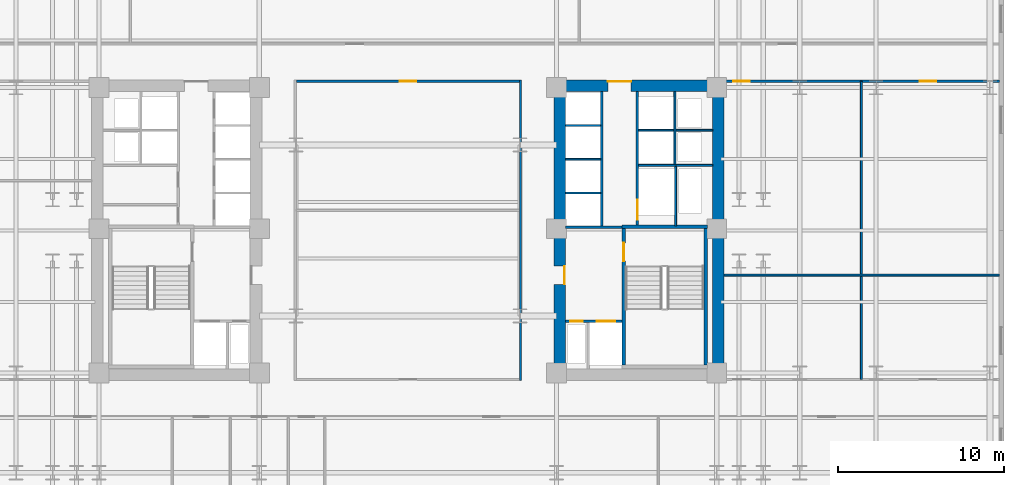
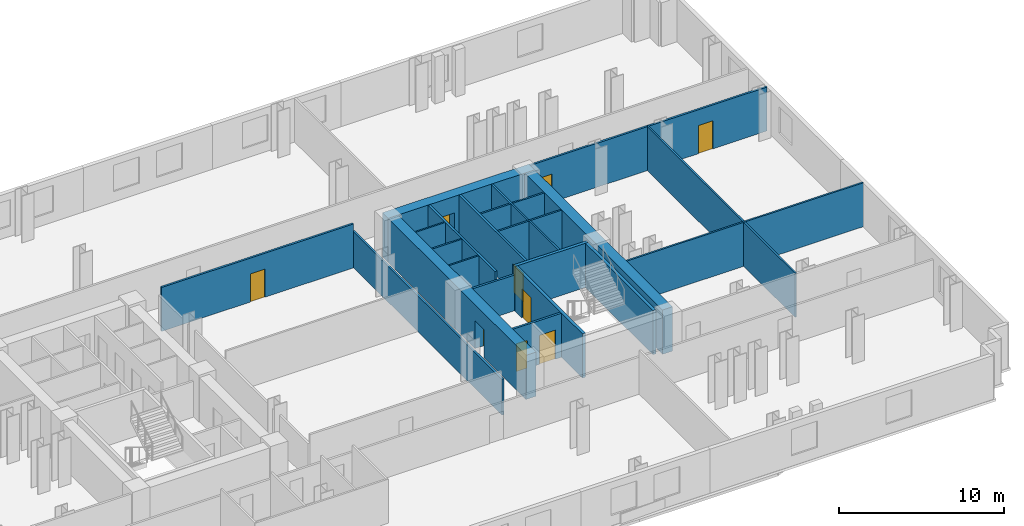
# One storey, part 6 of 10: 23 walls, 9 doors, 9 openings.
"""IFC4 building model written with IfcOpenShell, lengths in metres."""

from ifc_helpers import new_model, si_unit, direction, frame, frame_2d, origin, place, context, subcontext, project, spatial, rectangle, extrude, material, layer, layer_set, type_object, element, fill, save


model = new_model("IFC4")

# Units and contexts
model_context = context("Model", 3, precision=1e-05, world=origin(), true_north=direction((0.0, 1.0)))
body_context = subcontext(model_context, "Body", "Model", "MODEL_VIEW")
ifc_project = project(units=[si_unit("LENGTHUNIT", "METRE"), si_unit("AREAUNIT", "SQUARE_METRE"), si_unit("VOLUMEUNIT", "CUBIC_METRE"), si_unit("PLANEANGLEUNIT", "RADIAN"), si_unit("MASSUNIT", "GRAM", prefix="KILO")], contexts=[model_context])

# Site, building, storey
site_placement = place(None, origin())
site = spatial("IfcSite", under=ifc_project, at=site_placement, CompositionType="ELEMENT")
building_placement = place(site_placement, origin())
building = spatial("IfcBuilding", under=site, at=building_placement, Name="Velakula Bourse", CompositionType="ELEMENT")
storey_placement = place(building_placement, frame((0.0, 0.0, 34.64990234375)))
storey = spatial("IfcBuildingStorey", under=building, at=storey_placement, Name="L08", CompositionType="ELEMENT", Elevation=34.64990234375)

# Wall, opening, door
ifc_material_1 = material(Name="Concrete M50 (fck 50 MPa)", Category="concrete")
ifc_layer_1 = layer(ifc_material_1, 0.2099609375, Name="Concrete M50 (fck 50 MPa)", Category="concrete")
ifc_layer_set_1 = layer_set([ifc_layer_1], Name="Concrete M50 (fck 50 MPa)")
wall_type_1 = type_object("IfcWallType", Name="WL-CORE-210", PredefinedType="SHEAR", material=ifc_layer_set_1)
wall_1_placement = place(storey_placement, frame((12.9951171875, -8.10009765625, 0.0), z_axis=(0.0, 0.0, 1.0), x_axis=(0.0, 1.0, 0.0)))
wall_1 = element("IfcWall", 1, at=wall_1_placement, inside=storey, type_object=wall_type_1, Name="L08 Core E Stairwell Shear Wall IN", PredefinedType="SHEAR", context=body_context, shape_type="SweptSolid", body=[
    extrude(rectangle(XDim=8.2001953125, YDim=0.2099609375, at=frame_2d((4.10009765625, 0.0))), origin(), (0.0, 0.0, 1.0), 3.27001953125),
])
opening_1_placement = place(wall_1_placement, frame((6.25, 0.0, 0.0)))
opening_1 = element("IfcOpeningElement", 2, at=opening_1_placement, cuts=wall_1, Name="Opening D-STE1", PredefinedType="OPENING", context=body_context, shape_type="SweptSolid", body=[
    extrude(rectangle(XDim=1.10009765625, YDim=2.14990234375, at=frame_2d((0.550048828125, 1.074951171875))), frame((0.0, 0.114990234375, 0.0), z_axis=(0.0, -1.0, 0.0), x_axis=(1.0, 0.0, 0.0)), (0.0, 0.0, 1.0), 0.22998046875),
])
ifc_material_2 = material(Name="Galvanised painted hollow steel fire door", Category="steel")
door_type_1 = type_object("IfcDoorType", Name="DR-FD120-1100x2150", OperationType="NOTDEFINED", PredefinedType="DOOR", material=ifc_material_2)
door_1_placement = place(opening_1_placement, origin())
door_1 = element("IfcDoor", 3, at=door_1_placement, inside=storey, type_object=door_type_1, Name="L08 Stair ST-E1 Fire Door", OperationType="SINGLE_SWING_RIGHT", OverallHeight=2.14990234375, OverallWidth=1.10009765625, PredefinedType="DOOR", context=body_context, shape_type="SweptSolid", body=[
    extrude(rectangle(XDim=1.10009765625, YDim=2.14990234375, at=frame_2d((0.550048828125, 1.074951171875))), frame((0.0, 0.02490234375, 0.0), z_axis=(0.0, -1.0, 0.0), x_axis=(1.0, 0.0, 0.0)), (0.0, 0.0, 1.0), 0.050048828125),
])
fill(opening_1, door_1)

# Walls
wall_2_placement = place(storey_placement, frame((17.925048828125, -8.10009765625, 0.0), z_axis=(0.0, 0.0, 1.0), x_axis=(0.0, 1.0, 0.0)))
element("IfcWall", 4, at=wall_2_placement, inside=storey, type_object=wall_type_1, Name="L08 Core E Stairwell Shear Wall OUT", PredefinedType="SHEAR", context=body_context, shape_type="SweptSolid", body=[
    extrude(rectangle(XDim=8.2001953125, YDim=0.2099609375, at=frame_2d((4.10009765625, 0.0))), origin(), (0.0, 0.0, 1.0), 3.27001953125),
])
wall_3_placement = place(storey_placement, frame((18.030029296875, 0.205078125, 0.0), z_axis=(0.0, 0.0, 1.0), x_axis=(-1.0, 0.0, 0.0)))
element("IfcWall", 5, at=wall_3_placement, inside=storey, type_object=wall_type_1, Name="L08 Core E Stairwell Shear Wall N", PredefinedType="SHEAR", context=body_context, shape_type="SweptSolid", body=[
    extrude(rectangle(XDim=5.14013671875, YDim=0.2099609375, at=frame_2d((2.570068359375, 0.0))), origin(), (0.0, 0.0, 1.0), 3.27001953125),
])

# Wall, opening, door
ifc_material_3 = material(Name="Concrete M70 (fck 70 MPa)", Category="concrete")
ifc_layer_2 = layer(ifc_material_3, 0.699951171875, Name="Concrete M70 (fck 70 MPa)", Category="concrete")
ifc_layer_set_2 = layer_set([ifc_layer_2], Name="Concrete M70 (fck 70 MPa)")
wall_type_2 = type_object("IfcWallType", Name="WL-CORE-700", PredefinedType="SHEAR", material=ifc_layer_set_2)
wall_4_placement = place(storey_placement, frame((8.800048828125, 8.699951171875, 0.0), z_axis=(0.0, 0.0, 1.0), x_axis=(1.0, 0.0, 0.0)))
wall_4 = element("IfcWall", 6, at=wall_4_placement, inside=storey, type_object=wall_type_2, Name="L08 Core E Shear Wall N", PredefinedType="SHEAR", context=body_context, shape_type="SweptSolid", body=[
    extrude(rectangle(XDim=10.25, YDim=0.699951171875, at=frame_2d((5.125, 0.0))), origin(), (0.0, 0.0, 1.0), 3.27001953125),
])
opening_2_placement = place(wall_4_placement, frame((3.25, 0.0, 0.0)))
opening_2 = element("IfcOpeningElement", 7, at=opening_2_placement, cuts=wall_4, Name="Opening D-LLE", PredefinedType="OPENING", context=body_context, shape_type="SweptSolid", body=[
    extrude(rectangle(XDim=1.39990234375, YDim=2.050048828125, at=frame_2d((0.699951171875, 1.02490234375))), frame((0.0, 0.35986328125, 0.0), z_axis=(0.0, -1.0, 0.0), x_axis=(1.0, 0.0, 0.0)), (0.0, 0.0, 1.0), 0.719970703125),
])
ifc_material_4 = material(Name="Fire-rated hardwood flush architectural door", Category="wood")
door_type_2 = type_object("IfcDoorType", Name="DR-DBL-FD60-1400", OperationType="DOUBLE_DOOR_SINGLE_SWING", PredefinedType="DOOR", material=ifc_material_4)
door_2_placement = place(opening_2_placement, origin())
door_2 = element("IfcDoor", 8, at=door_2_placement, inside=storey, type_object=door_type_2, Name="L08 Core E Lift Lobby Corridor Double Door", OperationType="DOUBLE_DOOR_SINGLE_SWING", OverallHeight=2.050048828125, OverallWidth=1.39990234375, PredefinedType="DOOR", context=body_context, shape_type="SweptSolid", body=[
    extrude(rectangle(XDim=1.39990234375, YDim=2.050048828125, at=frame_2d((0.699951171875, 1.02490234375))), frame((0.0, 0.294921875, 0.0), z_axis=(0.0, -1.0, 0.0), x_axis=(1.0, 0.0, 0.0)), (0.0, 0.0, 1.0), 0.050048828125),
])
fill(opening_2, door_2)

wall_5_placement = place(storey_placement, frame((9.14990234375, -8.35009765625, 0.0), z_axis=(0.0, 0.0, 1.0), x_axis=(0.0, 1.0, 0.0)))
wall_5 = element("IfcWall", 9, at=wall_5_placement, inside=storey, type_object=wall_type_2, Name="L08 Core E Shear Wall W", PredefinedType="SHEAR", context=body_context, shape_type="SweptSolid", body=[
    extrude(rectangle(XDim=16.7001953125, YDim=0.699951171875, at=frame_2d((8.35009765625, 0.0))), origin(), (0.0, 0.0, 1.0), 3.27001953125),
])
opening_3_placement = place(wall_5_placement, frame((5.10009765625, 0.0, 0.0)))
opening_3 = element("IfcOpeningElement", 10, at=opening_3_placement, cuts=wall_5, Name="Opening D-FLE", PredefinedType="OPENING", context=body_context, shape_type="SweptSolid", body=[
    extrude(rectangle(XDim=1.10009765625, YDim=2.080078125, at=frame_2d((0.550048828125, 1.0400390625))), frame((0.0, 0.35986328125, 0.0), z_axis=(0.0, -1.0, 0.0), x_axis=(1.0, 0.0, 0.0)), (0.0, 0.0, 1.0), 0.719970703125),
])
door_type_3 = type_object("IfcDoorType", Name="DR-FD120-1100", OperationType="NOTDEFINED", PredefinedType="DOOR", material=ifc_material_2)
door_3_placement = place(opening_3_placement, origin())
door_3 = element("IfcDoor", 11, at=door_3_placement, inside=storey, type_object=door_type_3, Name="L08 Firefighting Lobby E Corridor Fire Door", OperationType="SINGLE_SWING_RIGHT", OverallHeight=2.080078125, OverallWidth=1.10009765625, PredefinedType="DOOR", context=body_context, shape_type="SweptSolid", body=[
    extrude(rectangle(XDim=1.10009765625, YDim=2.080078125, at=frame_2d((0.550048828125, 1.0400390625))), frame((0.0, -0.2548828125, 0.0), z_axis=(0.0, -1.0, 0.0), x_axis=(1.0, 0.0, 0.0)), (0.0, 0.0, 1.0), 0.050048828125),
])
fill(opening_3, door_3)

# Walls
wall_6_placement = place(storey_placement, frame((18.699951171875, -8.35009765625, 0.0), z_axis=(0.0, 0.0, 1.0), x_axis=(0.0, 1.0, 0.0)))
element("IfcWall", 12, at=wall_6_placement, inside=storey, type_object=wall_type_2, Name="L08 Core E Shear Wall E", PredefinedType="SHEAR", context=body_context, shape_type="SweptSolid", body=[
    extrude(rectangle(XDim=16.7001953125, YDim=0.699951171875, at=frame_2d((8.35009765625, 0.0))), origin(), (0.0, 0.0, 1.0), 3.27001953125),
])
ifc_material_5 = material(Name="Fire-rated double-layer gypsum drywall partition", Category="gypsum")
ifc_layer_3 = layer(ifc_material_5, 0.1201171875, Name="Fire-rated double-layer gypsum drywall partition", Category="gypsum")
ifc_layer_set_3 = layer_set([ifc_layer_3], Name="Fire-rated double-layer gypsum drywall partition")
wall_type_3 = type_object("IfcWallType", Name="WL-PART-120", PredefinedType="STANDARD", material=ifc_layer_set_3)
for number, where, z_axis, x_axis, name in (
    (13, (9.5, 2.2548828125, 0.0), (0.0, 0.0, 1.0), (1.0, 0.0, 0.0), "L08 Interior Partition WL-CRE-L08-BDIV-0"),
    (14, (9.5, 4.284912109375, 0.0), (0.0, 0.0, 1.0), (1.0, 0.0, 0.0), "L08 Interior Partition WL-CRE-L08-BDIV-1"),
    (15, (9.5, 6.31494140625, 0.0), (0.0, 0.0, 1.0), (1.0, 0.0, 0.0), "L08 Interior Partition WL-CRE-L08-BDIV-2"),
):
    element("IfcWall", number, at=place(storey_placement, frame(where, z_axis=z_axis, x_axis=x_axis)), inside=storey, type_object=wall_type_3, Name=name, PredefinedType="STANDARD", context=body_context, shape_type="SweptSolid", body=[
        extrude(rectangle(XDim=2.10009765625, YDim=0.110107421875, at=frame_2d((1.050048828125, 0.0))), origin(), (0.0, 0.0, 1.0), 3.25),
    ])
wall_7_placement = place(storey_placement, frame((13.89990234375, 3.919921875, 0.0), z_axis=(0.0, 0.0, 1.0), x_axis=(1.0, 0.0, 0.0)))
element("IfcWall", 16, at=wall_7_placement, inside=storey, type_object=wall_type_3, Name="L08 Interior Partition WL-CRE-L08-HI-S", PredefinedType="STANDARD", context=body_context, shape_type="SweptSolid", body=[
    extrude(rectangle(XDim=4.4501953125, YDim=0.1201171875, at=frame_2d((2.22509765625, 0.0))), origin(), (0.0, 0.0, 1.0), 3.25),
])
wall_8_placement = place(storey_placement, frame((16.14990234375, 6.030029296875, 0.0), z_axis=(0.0, 0.0, 1.0), x_axis=(1.0, 0.0, 0.0)))
element("IfcWall", 17, at=wall_8_placement, inside=storey, type_object=wall_type_3, Name="L08 Interior Partition WL-CRE-L08-RIS-MID", PredefinedType="STANDARD", context=body_context, shape_type="SweptSolid", body=[
    extrude(rectangle(XDim=2.2001953125, YDim=0.1201171875, at=frame_2d((1.10009765625, 0.0))), origin(), (0.0, 0.0, 1.0), 3.25),
])
wall_9_placement = place(storey_placement, frame((16.074951171875, 3.97998046875, 0.0), z_axis=(0.0, 0.0, 1.0), x_axis=(0.0, 1.0, 0.0)))
element("IfcWall", 18, at=wall_9_placement, inside=storey, type_object=wall_type_3, Name="L08 Interior Partition WL-CRE-L08-RIS-F", PredefinedType="STANDARD", context=body_context, shape_type="SweptSolid", body=[
    extrude(rectangle(XDim=4.3701171875, YDim=0.1201171875, at=frame_2d((2.18505859375, 0.0))), origin(), (0.0, 0.0, 1.0), 3.25),
])
wall_10_placement = place(storey_placement, frame((13.89990234375, 6.030029296875, 0.0), z_axis=(0.0, 0.0, 1.0), x_axis=(1.0, 0.0, 0.0)))
element("IfcWall", 19, at=wall_10_placement, inside=storey, type_object=wall_type_3, Name="L08 Interior Partition WL-CRE-L08-HI-DIV", PredefinedType="STANDARD", context=body_context, shape_type="SweptSolid", body=[
    extrude(rectangle(XDim=2.10009765625, YDim=0.1201171875, at=frame_2d((1.050048828125, 0.0))), origin(), (0.0, 0.0, 1.0), 3.25),
])
wall_11_placement = place(storey_placement, frame((16.125, 0.27001953125, 0.0), z_axis=(0.0, 0.0, 1.0), x_axis=(0.0, 1.0, 0.0)))
element("IfcWall", 20, at=wall_11_placement, inside=storey, type_object=wall_type_3, Name="L08 Interior Partition WL-CRE-L08-SVL-E", PredefinedType="STANDARD", context=body_context, shape_type="SweptSolid", body=[
    extrude(rectangle(XDim=3.590087890625, YDim=0.1201171875, at=frame_2d((1.794921875, 0.0))), origin(), (0.0, 0.0, 1.0), 3.25),
])
wall_12_placement = place(storey_placement, frame((19.050048828125, -2.699951171875, 0.0), z_axis=(0.0, 0.0, 1.0), x_axis=(1.0, 0.0, 0.0)))
element("IfcWall", 21, at=wall_12_placement, inside=storey, type_object=wall_type_3, Name="L08 Interior Partition WL-INT-L08-E-H", PredefinedType="STANDARD", context=body_context, shape_type="SweptSolid", body=[
    extrude(rectangle(XDim=16.570068359375, YDim=0.1201171875, at=frame_2d((8.28515625, 0.0))), origin(), (0.0, 0.0, 1.0), 3.25),
])
wall_13_placement = place(storey_placement, frame((27.304931640625, -8.97998046875, 0.0), z_axis=(0.0, 0.0, 1.0), x_axis=(0.0, 1.0, 0.0)))
element("IfcWall", 22, at=wall_13_placement, inside=storey, type_object=wall_type_3, Name="L08 Interior Partition WL-INT-L08-E-V1", PredefinedType="STANDARD", context=body_context, shape_type="SweptSolid", body=[
    extrude(rectangle(XDim=17.9599609375, YDim=0.1201171875, at=frame_2d((8.97998046875, 0.0))), origin(), (0.0, 0.0, 1.0), 3.25),
])

# Wall, openings, doors
ifc_layer_4 = layer(ifc_material_5, 0.139892578125, Name="Fire-rated double-layer gypsum drywall partition", Category="gypsum")
ifc_layer_set_4 = layer_set([ifc_layer_4], Name="Fire-rated double-layer gypsum drywall partition")
wall_type_4 = type_object("IfcWallType", Name="WL-PART-140", PredefinedType="STANDARD", material=ifc_layer_set_4)
wall_14_placement = place(storey_placement, frame((19.050048828125, 8.97998046875, 0.0), z_axis=(0.0, 0.0, 1.0), x_axis=(1.0, 0.0, 0.0)))
wall_14 = element("IfcWall", 23, at=wall_14_placement, inside=storey, type_object=wall_type_4, Name="L08 Interior Partition WL-INT-L08-E-NC", PredefinedType="STANDARD", context=body_context, shape_type="SweptSolid", body=[
    extrude(rectangle(XDim=16.570068359375, YDim=0.139892578125, at=frame_2d((8.28515625, 0.0))), origin(), (0.0, 0.0, 1.0), 3.25),
])
opening_4_placement = place(wall_14_placement, frame((0.534912109375, 0.0, 0.0)))
opening_4 = element("IfcOpeningElement", 24, at=opening_4_placement, cuts=wall_14, Name="Opening D-OF1", PredefinedType="OPENING", context=body_context, shape_type="SweptSolid", body=[
    extrude(rectangle(XDim=1.0, YDim=2.080078125, at=frame_2d((0.5, 1.0400390625))), frame((0.0, 0.079833984375, 0.0), z_axis=(0.0, -1.0, 0.0), x_axis=(1.0, 0.0, 0.0)), (0.0, 0.0, 1.0), 0.159912109375),
])
opening_5_placement = place(wall_14_placement, frame((11.782470703125, 0.0, 0.0)))
opening_5 = element("IfcOpeningElement", 25, at=opening_5_placement, cuts=wall_14, Name="Opening D-OF1", PredefinedType="OPENING", context=body_context, shape_type="SweptSolid", body=[
    extrude(rectangle(XDim=1.0, YDim=2.080078125, at=frame_2d((0.5, 1.0400390625))), frame((0.0, 0.079833984375, 0.0), z_axis=(0.0, -1.0, 0.0), x_axis=(1.0, 0.0, 0.0)), (0.0, 0.0, 1.0), 0.159912109375),
])
door_type_4 = type_object("IfcDoorType", Name="DR-OFF-1000", OperationType="NOTDEFINED", PredefinedType="DOOR", material=ifc_material_4)
door_4_placement = place(opening_4_placement, origin())
door_4 = element("IfcDoor", 26, at=door_4_placement, inside=storey, type_object=door_type_4, Name="L08 Legal Counsel Office Door", OperationType="SINGLE_SWING_LEFT", OverallHeight=2.080078125, OverallWidth=1.0, PredefinedType="DOOR", context=body_context, shape_type="SweptSolid", body=[
    extrude(rectangle(XDim=1.0, YDim=2.080078125, at=frame_2d((0.5, 1.0400390625))), frame((0.0, 0.02490234375, 0.0), z_axis=(0.0, -1.0, 0.0), x_axis=(1.0, 0.0, 0.0)), (0.0, 0.0, 1.0), 0.050048828125),
])
fill(opening_4, door_4)
door_5_placement = place(opening_5_placement, origin())
door_5 = element("IfcDoor", 27, at=door_5_placement, inside=storey, type_object=door_type_4, Name="L08 Listing Committee Chamber Door", OperationType="SINGLE_SWING_RIGHT", OverallHeight=2.080078125, OverallWidth=1.0, PredefinedType="DOOR", context=body_context, shape_type="SweptSolid", body=[
    extrude(rectangle(XDim=1.0, YDim=2.080078125, at=frame_2d((0.5, 1.0400390625))), frame((0.0, 0.02490234375, 0.0), z_axis=(0.0, -1.0, 0.0), x_axis=(1.0, 0.0, 0.0)), (0.0, 0.0, 1.0), 0.050048828125),
])
fill(opening_5, door_5)

# Wall
wall_15_placement = place(storey_placement, frame((6.780029296875, -9.050048828125, 0.0), z_axis=(0.0, 0.0, 1.0), x_axis=(0.0, 1.0, 0.0)))
element("IfcWall", 28, at=wall_15_placement, inside=storey, type_object=wall_type_4, Name="L08 Interior Partition WL-INT-L08-MID-E", PredefinedType="STANDARD", context=body_context, shape_type="SweptSolid", body=[
    extrude(rectangle(XDim=18.10009765625, YDim=0.139892578125, at=frame_2d((9.050048828125, 0.0))), origin(), (0.0, 0.0, 1.0), 2.64501953125),
])

# Wall, opening, door
wall_16_placement = place(storey_placement, frame((-6.7099609375, 8.97998046875, 0.0), z_axis=(0.0, 0.0, 1.0), x_axis=(1.0, 0.0, 0.0)))
wall_16 = element("IfcWall", 29, at=wall_16_placement, inside=storey, type_object=wall_type_4, Name="L08 Interior Partition WL-INT-L08-MID-N", PredefinedType="STANDARD", context=body_context, shape_type="SweptSolid", body=[
    extrude(rectangle(XDim=13.419921875, YDim=0.139892578125, at=frame_2d((6.7099609375, 0.0))), origin(), (0.0, 0.0, 1.0), 3.25),
])
opening_6_placement = place(wall_16_placement, frame((6.2099609375, 0.0, 0.0)))
opening_6 = element("IfcOpeningElement", 30, at=opening_6_placement, cuts=wall_16, Name="Opening D-OF1", PredefinedType="OPENING", context=body_context, shape_type="SweptSolid", body=[
    extrude(rectangle(XDim=1.0, YDim=2.080078125, at=frame_2d((0.5, 1.0400390625))), frame((0.0, 0.079833984375, 0.0), z_axis=(0.0, -1.0, 0.0), x_axis=(1.0, 0.0, 0.0)), (0.0, 0.0, 1.0), 0.159912109375),
])
door_6_placement = place(opening_6_placement, origin())
door_6 = element("IfcDoor", 31, at=door_6_placement, inside=storey, type_object=door_type_4, Name="L08 Central Boardroom North Door", OperationType="SINGLE_SWING_RIGHT", OverallHeight=2.080078125, OverallWidth=1.0, PredefinedType="DOOR", context=body_context, shape_type="SweptSolid", body=[
    extrude(rectangle(XDim=1.0, YDim=2.080078125, at=frame_2d((0.5, 1.0400390625))), frame((0.0, 0.02490234375, 0.0), z_axis=(0.0, -1.0, 0.0), x_axis=(1.0, 0.0, 0.0)), (0.0, 0.0, 1.0), 0.050048828125),
])
fill(opening_6, door_6)

# Wall, openings, doors
ifc_material_6 = material(Name="Autoclaved aerated concrete blockwork masonry", Category="masonry")
ifc_layer_5 = layer(ifc_material_6, 0.14990234375, Name="Autoclaved aerated concrete blockwork masonry", Category="masonry")
ifc_layer_set_5 = layer_set([ifc_layer_5], Name="Autoclaved aerated concrete blockwork masonry")
wall_type_5 = type_object("IfcWallType", Name="WL-SHAFT-150", PredefinedType="STANDARD", material=ifc_layer_set_5)
wall_17_placement = place(storey_placement, frame((9.5, -5.47509765625, 0.0), z_axis=(0.0, 0.0, 1.0), x_axis=(1.0, 0.0, 0.0)))
wall_17 = element("IfcWall", 32, at=wall_17_placement, inside=storey, type_object=wall_type_5, Name="L08 Interior Partition WL-CRE-L08-FFL-N", PredefinedType="STANDARD", context=body_context, shape_type="SweptSolid", body=[
    extrude(rectangle(XDim=3.39501953125, YDim=0.14990234375, at=frame_2d((1.697509765625, 0.0))), origin(), (0.0, 0.0, 1.0), 3.25),
])
opening_7_placement = place(wall_17_placement, frame((1.875, 0.0, 0.0)))
opening_7 = element("IfcOpeningElement", 33, at=opening_7_placement, cuts=wall_17, Name="Opening LD-FFL-2", PredefinedType="OPENING", context=body_context, shape_type="SweptSolid", body=[
    extrude(rectangle(XDim=1.10009765625, YDim=2.14990234375, at=frame_2d((0.550048828125, 1.074951171875))), frame((0.0, 0.0849609375, 0.0), z_axis=(0.0, -1.0, 0.0), x_axis=(1.0, 0.0, 0.0)), (0.0, 0.0, 1.0), 0.169921875),
])
opening_8_placement = place(wall_17_placement, frame((0.27490234375, 0.0, 0.0)))
opening_8 = element("IfcOpeningElement", 34, at=opening_8_placement, cuts=wall_17, Name="Opening D-RS1", PredefinedType="OPENING", context=body_context, shape_type="SweptSolid", body=[
    extrude(rectangle(XDim=0.75, YDim=2.050048828125, at=frame_2d((0.375, 1.02490234375))), frame((0.0, 0.0849609375, 0.0), z_axis=(0.0, -1.0, 0.0), x_axis=(1.0, 0.0, 0.0)), (0.0, 0.0, 1.0), 0.169921875),
])
door_type_5 = type_object("IfcDoorType", Name="DR-RISER-800", OperationType="NOTDEFINED", PredefinedType="DOOR", material=ifc_material_2)
door_7_placement = place(opening_8_placement, origin())
door_7 = element("IfcDoor", 35, at=door_7_placement, inside=storey, type_object=door_type_5, Name="L08 Fire Riser Access Door", OperationType="SINGLE_SWING_LEFT", OverallHeight=2.050048828125, OverallWidth=0.75, PredefinedType="DOOR", context=body_context, shape_type="SweptSolid", body=[
    extrude(rectangle(XDim=0.75, YDim=2.050048828125, at=frame_2d((0.375, 1.02490234375))), frame((0.0, 0.02490234375, 0.0), z_axis=(0.0, -1.0, 0.0), x_axis=(1.0, 0.0, 0.0)), (0.0, 0.0, 1.0), 0.050048828125),
])
fill(opening_8, door_7)
ifc_material_7 = material(Name="Brushed grade 316 stainless steel", Category="steel")
door_type_6 = type_object("IfcDoorType", Name="DR-SLIDE-FFL-1100", OperationType="DOUBLE_DOOR_SLIDING", PredefinedType="DOOR", material=ifc_material_7)
door_8_placement = place(opening_7_placement, origin())
door_8 = element("IfcDoor", 36, at=door_8_placement, inside=storey, type_object=door_type_6, Name="L08 Firefighting Lift FFL-2 Sliding Landing Door", OperationType="DOUBLE_DOOR_SLIDING", OverallHeight=2.14990234375, OverallWidth=1.10009765625, PredefinedType="DOOR", context=body_context, shape_type="SweptSolid", body=[
    extrude(rectangle(XDim=1.10009765625, YDim=2.14990234375, at=frame_2d((0.550048828125, 1.074951171875))), frame((0.0, 0.02490234375, 0.0), z_axis=(0.0, -1.0, 0.0), x_axis=(1.0, 0.0, 0.0)), (0.0, 0.0, 1.0), 0.050048828125),
])
fill(opening_7, door_8)

# Walls
wall_18_placement = place(storey_placement, frame((9.5, 0.18994140625, 0.0), z_axis=(0.0, 0.0, 1.0), x_axis=(1.0, 0.0, 0.0)))
element("IfcWall", 37, at=wall_18_placement, inside=storey, type_object=wall_type_5, Name="L08 Interior Partition WL-CRE-L08-FF-TOP", PredefinedType="STANDARD", context=body_context, shape_type="SweptSolid", body=[
    extrude(rectangle(XDim=3.389892578125, YDim=0.14990234375, at=frame_2d((1.69482421875, 0.0))), origin(), (0.0, 0.0, 1.0), 2.64501953125),
])
wall_19_placement = place(storey_placement, frame((11.675048828125, 0.27001953125, 0.0), z_axis=(0.0, 0.0, 1.0), x_axis=(0.0, 1.0, 0.0)))
element("IfcWall", 38, at=wall_19_placement, inside=storey, type_object=wall_type_5, Name="L08 Interior Partition WL-CRE-L08-BANK-F", PredefinedType="STANDARD", context=body_context, shape_type="SweptSolid", body=[
    extrude(rectangle(XDim=8.080078125, YDim=0.14990234375, at=frame_2d((4.0400390625, 0.0))), origin(), (0.0, 0.0, 1.0), 3.25),
])

# Wall, opening, door
wall_20_placement = place(storey_placement, frame((13.824951171875, 0.27001953125, 0.0), z_axis=(0.0, 0.0, 1.0), x_axis=(0.0, 1.0, 0.0)))
wall_20 = element("IfcWall", 39, at=wall_20_placement, inside=storey, type_object=wall_type_5, Name="L08 Interior Partition WL-CRE-L08-OUT-F", PredefinedType="STANDARD", context=body_context, shape_type="SweptSolid", body=[
    extrude(rectangle(XDim=8.080078125, YDim=0.14990234375, at=frame_2d((4.0400390625, 0.0))), origin(), (0.0, 0.0, 1.0), 3.25),
])
opening_9_placement = place(wall_20_placement, frame((0.3798828125, 0.0, 0.0)))
opening_9 = element("IfcOpeningElement", 40, at=opening_9_placement, cuts=wall_20, Name="Opening LD-SVL1", PredefinedType="OPENING", context=body_context, shape_type="SweptSolid", body=[
    extrude(rectangle(XDim=1.199951171875, YDim=2.10009765625, at=frame_2d((0.60009765625, 1.050048828125))), frame((0.0, 0.0849609375, 0.0), z_axis=(0.0, -1.0, 0.0), x_axis=(1.0, 0.0, 0.0)), (0.0, 0.0, 1.0), 0.169921875),
])
door_type_7 = type_object("IfcDoorType", Name="DR-SLIDE-LD-1200", OperationType="DOUBLE_DOOR_SLIDING", PredefinedType="DOOR", material=ifc_material_7)
door_9_placement = place(opening_9_placement, origin())
door_9 = element("IfcDoor", 41, at=door_9_placement, inside=storey, type_object=door_type_7, Name="L08 Service Lift SVL-1 Sliding Landing Door", OperationType="DOUBLE_DOOR_SLIDING", OverallHeight=2.10009765625, OverallWidth=1.199951171875, PredefinedType="DOOR", context=body_context, shape_type="SweptSolid", body=[
    extrude(rectangle(XDim=1.199951171875, YDim=2.10009765625, at=frame_2d((0.60009765625, 1.050048828125))), frame((0.0, 0.02490234375, 0.0), z_axis=(0.0, -1.0, 0.0), x_axis=(1.0, 0.0, 0.0)), (0.0, 0.0, 1.0), 0.050048828125),
])
fill(opening_9, door_9)

save(model, "model.ifc")
